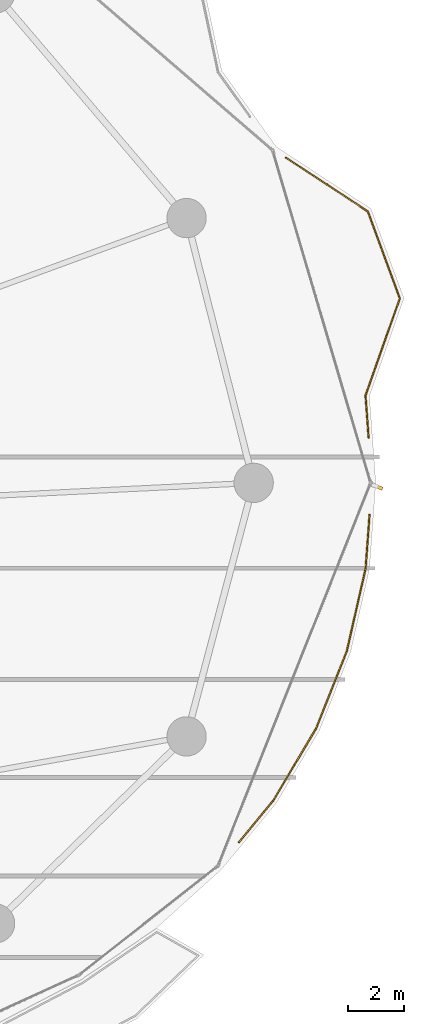
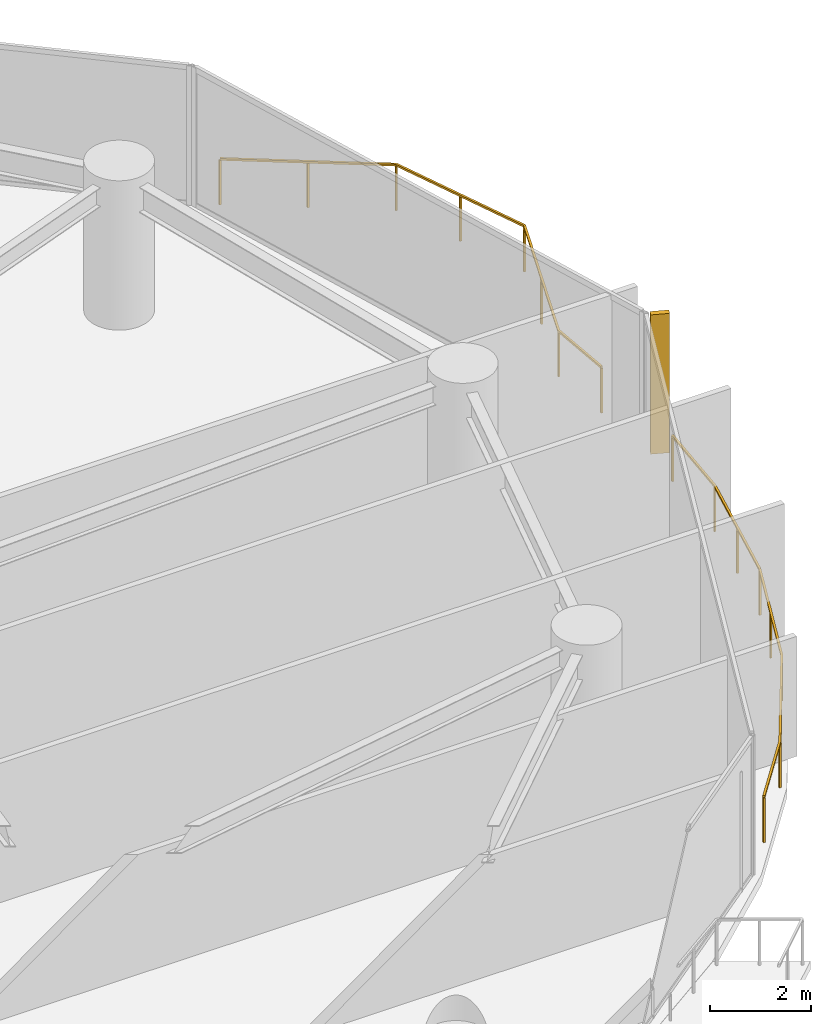
# One storey, part 33 of 33: 2 railings, 1 shading device.
"""IFC4 building model written with IfcOpenShell, lengths in metres."""

import ifcopenshell
import ifcopenshell.guid

model = None  # the IFC model being written
_history = None  # IfcOwnerHistory: only IFC2X3 demands one
_inside = {}  # id of a spatial element -> (the spatial element, [elements in it])
_under = {}  # id of a project, library or spatial element -> (it, [spatial elements below it])
_declared = {}  # id of a project -> (the project, [libraries it declares])
_typed = {}  # id of a type object -> (the type object, [elements of that type])
_made_of = {}  # id of a material, layer set ... -> (it, [elements and type objects made of it])


def new_model(schema):
    """Start an empty IFC model of exactly this schema.

    Asked for "IFC4X3", IfcOpenShell would pick the latest addendum, in which some entities
    have other attributes; the version numbers below select the first issue.
    IFC2X3 requires an IfcOwnerHistory on every rooted entity: one is made here for all.
    """
    global model, _history
    if schema == "IFC4X3":
        model = ifcopenshell.file(schema_version=(4, 3, 0, 0))
    else:
        model = ifcopenshell.file(schema=schema)
    _inside.clear()
    _under.clear()
    _declared.clear()
    _typed.clear()
    _made_of.clear()
    _history = None
    if model.schema == "IFC2X3":
        org = make("IfcOrganization", Name="unknown")
        user = make(
            "IfcPersonAndOrganization",
            ThePerson=make("IfcPerson", FamilyName="unknown"),
            TheOrganization=org,
        )
        app = make(
            "IfcApplication",
            ApplicationDeveloper=org,
            Version="unknown",
            ApplicationFullName="unknown",
            ApplicationIdentifier="unknown",
        )
        _history = make(
            "IfcOwnerHistory",
            OwningUser=user,
            OwningApplication=app,
            ChangeAction="ADDED",
            CreationDate=0,
        )
    return model


def make(cls, **values):
    """One entity of the class cls with the attributes given. An attribute that is None is left unset."""
    return model.create_entity(
        cls, **{name: value for name, value in values.items() if value is not None}
    )


def rooted(cls, **values):
    """An entity with a GlobalId (a new one), such as an element, a storey or a relation."""
    return make(cls, GlobalId=ifcopenshell.guid.new(), OwnerHistory=_history, **values)


def si_unit(unit_type, name, prefix=None):
    """IfcSIUnit, for example si_unit("LENGTHUNIT", "METRE", prefix="MILLI")."""
    return make("IfcSIUnit", UnitType=unit_type, Prefix=prefix, Name=name)


def assignment(units):
    """IfcUnitAssignment: the units of a project."""
    return None if units is None else make("IfcUnitAssignment", Units=units)


def point(xyz):
    """IfcCartesianPoint."""
    return None if xyz is None else make("IfcCartesianPoint", Coordinates=xyz)


def direction(xyz):
    """IfcDirection."""
    return None if xyz is None else make("IfcDirection", DirectionRatios=xyz)


def frame(location, z_axis=None, x_axis=None):
    """IfcAxis2Placement3D, a coordinate frame: its origin and axes. An axis left out is left unset."""
    return make(
        "IfcAxis2Placement3D",
        Location=point(location),
        Axis=direction(z_axis),
        RefDirection=direction(x_axis),
    )


def frame_2d(location, x_axis=None):
    """IfcAxis2Placement2D, a coordinate frame in the plane: its origin and x axis."""
    return make(
        "IfcAxis2Placement2D", Location=point(location), RefDirection=direction(x_axis)
    )


def origin():
    """The frame at (0, 0, 0) with its axes left unset."""
    return frame((0.0, 0.0, 0.0))


def origin_2d():
    """The frame at (0, 0) in the plane with its x axis left unset."""
    return frame_2d((0.0, 0.0))


def place(relative_to, where):
    """IfcLocalPlacement: puts the frame where relative to a parent placement (None: the world)."""
    return make(
        "IfcLocalPlacement", PlacementRelTo=relative_to, RelativePlacement=where
    )


def context(
    kind, dimensions, precision=None, world=None, true_north=None, identifier=None
):
    """IfcGeometricRepresentationContext, for example the 3D "Model" context."""
    return make(
        "IfcGeometricRepresentationContext",
        ContextIdentifier=identifier,
        ContextType=kind,
        CoordinateSpaceDimension=dimensions,
        Precision=precision,
        WorldCoordinateSystem=world,
        TrueNorth=true_north,
    )


def subcontext(parent, identifier, kind, view, scale=None):
    """IfcGeometricRepresentationSubContext, for example "Body" below "Model"."""
    return make(
        "IfcGeometricRepresentationSubContext",
        ContextIdentifier=identifier,
        ContextType=kind,
        ParentContext=parent,
        TargetScale=scale,
        TargetView=view,
    )


def project(units=None, contexts=None):
    """IfcProject with its units and contexts."""
    return rooted(
        "IfcProject",
        Name="project",
        RepresentationContexts=contexts,
        UnitsInContext=assignment(units),
    )


def spatial(cls, under=None, at=None, **own):
    """A site, building, storey or space (cls), placed at a placement, below another one or the project."""
    s = rooted(cls, ObjectPlacement=at, **own)
    if under is not None:
        _under.setdefault(under.id(), (under, []))[1].append(s)
    return s


def profile(cls, at=None, kind="AREA", **sizes):
    """A parametric profile (cls). Its sizes go by their IFC names, for example OverallWidth=200.0."""
    return make(cls, ProfileType=kind, Position=at, **sizes)


def rectangle(**sizes):
    """IfcRectangleProfileDef."""
    return profile("IfcRectangleProfileDef", **sizes)


def extrude(swept, where, along, depth):
    """IfcExtrudedAreaSolid: the profile swept, set in the frame where, extruded along a direction by depth."""
    return make(
        "IfcExtrudedAreaSolid",
        SweptArea=swept,
        Position=where,
        ExtrudedDirection=direction(along),
        Depth=depth,
    )


def shape(context_of_items, identifier, shape_type, items):
    """IfcShapeRepresentation: the items that make up one representation, for example the "Body"."""
    return make(
        "IfcShapeRepresentation",
        ContextOfItems=context_of_items,
        RepresentationIdentifier=identifier,
        RepresentationType=shape_type,
        Items=items,
    )


def material(Name=None, Category=None):
    """IfcMaterial."""
    return make("IfcMaterial", Name=Name, Category=Category)


def made_of(thing, what):
    """Note that an element or type object is made of a material, layer set ...; save() writes the relation."""
    if what is not None:
        _made_of.setdefault(what.id(), (what, []))[1].append(thing)
    return thing


def type_object(cls, material=None, **own):
    """A type object (cls), such as IfcWallType, which elements share."""
    return made_of(rooted(cls, **own), material)


def element(
    cls,
    number,
    at=None,
    inside=None,
    cuts=None,
    type_object=None,
    material=None,
    context=None,
    identifier="Body",
    shape_type=None,
    held_by="IfcProductDefinitionShape",
    body=None,
    shapes=None,
    **own,
):
    """One element of the class cls, such as IfcWall. Its Tag is "e" and its number.

    at: its placement. inside: the storey or other place that contains it. cuts: it is an
    opening in that element (IfcRelVoidsElement). A single representation is given by context,
    identifier, shape_type and body (its items); several are given by shapes. held_by: the class
    of the entity that holds the representations. save() writes the other relations.
    """
    e = rooted(cls, Tag="e%d" % number, ObjectPlacement=at, **own)
    if body is not None:
        shapes = [shape(context, identifier, shape_type, body)]
    if shapes is not None:
        e.Representation = make(held_by, Representations=shapes)
    if inside is not None:
        _inside.setdefault(inside.id(), (inside, []))[1].append(e)
    if cuts is not None:
        rooted(
            "IfcRelVoidsElement", RelatingBuildingElement=cuts, RelatedOpeningElement=e
        )
    if type_object is not None:
        _typed.setdefault(type_object.id(), (type_object, []))[1].append(e)
    return made_of(e, material)


def aggregate(whole, parts):
    """IfcRelAggregates: a whole, such as a stair, and the parts it consists of."""
    return rooted("IfcRelAggregates", RelatingObject=whole, RelatedObjects=parts)


def save(model, path):
    """Write the relations noted so far, then the file.

    IfcRelAggregates (storeys below a building ...), IfcRelContainedInSpatialStructure (elements
    in a storey), IfcRelDefinesByType, IfcRelAssociatesMaterial and IfcRelDeclares: one each for
    every whole, place, type object, material and project.
    """
    for whole, parts in _under.values():
        aggregate(whole, parts)
    for where, things in _inside.values():
        rooted(
            "IfcRelContainedInSpatialStructure",
            RelatedElements=things,
            RelatingStructure=where,
        )
    for kind, things in _typed.values():
        rooted("IfcRelDefinesByType", RelatedObjects=things, RelatingType=kind)
    for what, things in _made_of.values():
        rooted("IfcRelAssociatesMaterial", RelatedObjects=things, RelatingMaterial=what)
    for by, libraries in _declared.values():
        rooted("IfcRelDeclares", RelatingContext=by, RelatedDefinitions=libraries)
    model.write(path)


model = new_model("IFC4")

# Units and contexts
model_context = context("Model", 3, precision=1e-05, world=origin(), true_north=direction((0.0, 1.0)))
body_context = subcontext(model_context, "Body", "Model", "MODEL_VIEW")
ifc_project = project(units=[si_unit("LENGTHUNIT", "METRE"), si_unit("AREAUNIT", "SQUARE_METRE"), si_unit("VOLUMEUNIT", "CUBIC_METRE"), si_unit("PLANEANGLEUNIT", "RADIAN"), si_unit("MASSUNIT", "GRAM", prefix="KILO")], contexts=[model_context])

# Site, building, storey
site_placement = place(None, origin())
site = spatial("IfcSite", under=ifc_project, at=site_placement, CompositionType="ELEMENT")
building_placement = place(site_placement, origin())
building = spatial("IfcBuilding", under=site, at=building_placement, Name="Kazevale Care Tower and Concert Hall", CompositionType="ELEMENT")
storey_placement = place(building_placement, frame((0.0, 0.0, 31.199951171875)))
storey = spatial("IfcBuildingStorey", under=building, at=storey_placement, Name="L07", CompositionType="ELEMENT", Elevation=31.199951171875)

# Railings
ifc_material_1 = material(Name="Anodised Bronze Aluminium and Laminated Glass", Category="aluminium")
railing_type = type_object("IfcRailingType", Name="Balcony and Terrace Balustrade 1120", PredefinedType="BALUSTRADE", material=ifc_material_1)
railing_1_placement = place(storey_placement, frame((80.575927734375, 36.864990234375, 0.0)))
element("IfcRailing", 1, at=railing_1_placement, inside=storey, type_object=railing_type, Name="rail:L07:perim:10", PredefinedType="BALUSTRADE", context=body_context, shape_type="SweptSolid", body=[
    extrude(rectangle(XDim=0.048095703125, YDim=0.048095703125, at=origin_2d()), frame((0.0, 0.0, 1.09619140625), z_axis=(-0.072929321708, -0.99733711153, 0.0), x_axis=(0.99733711153, -0.072929321708, 0.0)), (0.0, 0.0, 1.0), 1.918212890625),
    extrude(rectangle(XDim=0.048095703125, YDim=0.048095703125, at=origin_2d()), frame((-0.139892578125, -1.9130859375, 1.09619140625), z_axis=(-0.22169815306, -0.975115341347, 0.0), x_axis=(0.975115341347, -0.22169815306, 0.0)), (0.0, 0.0, 1.0), 3.012939453125),
    extrude(rectangle(XDim=0.048095703125, YDim=0.048095703125, at=origin_2d()), frame((-0.807861328125, -4.85107421875, 1.09619140625), z_axis=(-0.369500413357, -0.92923056586, 0.0), x_axis=(0.92923056586, -0.369500413357, 0.0)), (0.0, 0.0, 1.0), 2.985107421875),
    extrude(rectangle(XDim=0.048095703125, YDim=0.048095703125, at=origin_2d()), frame((-1.910888671875, -7.625, 1.09619140625), z_axis=(-0.510655847211, -0.859785209055, 0.0), x_axis=(0.859785209055, -0.510655847211, 0.0)), (0.0, 0.0, 1.0), 2.986572265625),
    extrude(rectangle(XDim=0.048095703125, YDim=0.048095703125, at=origin_2d()), frame((-3.43603515625, -10.19287109375, 1.09619140625), z_axis=(-0.636478085384, -0.771294785945, 0.0), x_axis=(0.771294785945, -0.636478085384, 0.0)), (0.0, 0.0, 1.0), 1.90869140625),
    extrude(rectangle(XDim=0.0419921875, YDim=0.0419921875, at=origin_2d()), origin(), (0.0, 0.0, 1.0), 1.072021484375),
    extrude(rectangle(XDim=0.0419921875, YDim=0.0419921875, at=origin_2d()), frame((-0.139892578125, -1.9130859375, 0.0)), (0.0, 0.0, 1.0), 1.072021484375),
    extrude(rectangle(XDim=0.0419921875, YDim=0.0419921875, at=origin_2d()), frame((-0.473876953125, -3.382080078125, 0.0)), (0.0, 0.0, 1.0), 1.072021484375),
    extrude(rectangle(XDim=0.0419921875, YDim=0.0419921875, at=origin_2d()), frame((-0.807861328125, -4.85107421875, 0.0)), (0.0, 0.0, 1.0), 1.072021484375),
    extrude(rectangle(XDim=0.0419921875, YDim=0.0419921875, at=origin_2d()), frame((-1.359375, -6.238037109375, 0.0)), (0.0, 0.0, 1.0), 1.072021484375),
    extrude(rectangle(XDim=0.0419921875, YDim=0.0419921875, at=origin_2d()), frame((-1.910888671875, -7.625, 0.0)), (0.0, 0.0, 1.0), 1.072021484375),
    extrude(rectangle(XDim=0.0419921875, YDim=0.0419921875, at=origin_2d()), frame((-2.67333984375, -8.908935546875, 0.0)), (0.0, 0.0, 1.0), 1.072021484375),
    extrude(rectangle(XDim=0.0419921875, YDim=0.0419921875, at=origin_2d()), frame((-3.43603515625, -10.19287109375, 0.0)), (0.0, 0.0, 1.0), 1.072021484375),
    extrude(rectangle(XDim=0.0419921875, YDim=0.0419921875, at=origin_2d()), frame((-4.65087890625, -11.6650390625, 0.0)), (0.0, 0.0, 1.0), 1.072021484375),
])
railing_2_placement = place(storey_placement, frame((77.60205078125, 49.580078125, 0.0)))
element("IfcRailing", 2, at=railing_2_placement, inside=storey, type_object=railing_type, Name="rail:L07:perim:11", PredefinedType="BALUSTRADE", context=body_context, shape_type="SweptSolid", body=[
    extrude(rectangle(XDim=0.048095703125, YDim=0.048095703125, at=origin_2d()), frame((0.0, 0.0, 1.09619140625), z_axis=(0.836080040141, -0.548607479422, 0.0), x_axis=(0.548607479422, 0.836080040141, 0.0)), (0.0, 0.0, 1.0), 3.4853515625),
    extrude(rectangle(XDim=0.048095703125, YDim=0.048095703125, at=origin_2d()), frame((2.9140625, -1.912109375, 1.09619140625), z_axis=(0.34544454401, -0.938439165324, 0.0), x_axis=(0.938439165324, 0.34544454401, 0.0)), (0.0, 0.0, 1.0), 3.296875),
    extrude(rectangle(XDim=0.048095703125, YDim=0.048095703125, at=origin_2d()), frame((4.052978515625, -5.006103515625, 1.09619140625), z_axis=(-0.332566381025, -0.94307984933, 0.0), x_axis=(0.94307984933, -0.332566381025, 0.0)), (0.0, 0.0, 1.0), 3.67431640625),
    extrude(rectangle(XDim=0.048095703125, YDim=0.048095703125, at=origin_2d()), frame((2.8310546875, -8.47119140625, 1.09619140625), z_axis=(0.072904890187, -0.997338897761, 0.0), x_axis=(0.997338897761, 0.072904890187, 0.0)), (0.0, 0.0, 1.0), 1.5068359375),
    extrude(rectangle(XDim=0.0419921875, YDim=0.0419921875, at=origin_2d()), origin(), (0.0, 0.0, 1.0), 1.072021484375),
    extrude(rectangle(XDim=0.0419921875, YDim=0.0419921875, at=origin_2d()), frame((1.45703125, -0.9560546875, 0.0)), (0.0, 0.0, 1.0), 1.072021484375),
    extrude(rectangle(XDim=0.0419921875, YDim=0.0419921875, at=origin_2d()), frame((2.9140625, -1.912109375, 0.0)), (0.0, 0.0, 1.0), 1.072021484375),
    extrude(rectangle(XDim=0.0419921875, YDim=0.0419921875, at=origin_2d()), frame((3.4833984375, -3.458984375, 0.0)), (0.0, 0.0, 1.0), 1.072021484375),
    extrude(rectangle(XDim=0.0419921875, YDim=0.0419921875, at=origin_2d()), frame((4.052978515625, -5.006103515625, 0.0)), (0.0, 0.0, 1.0), 1.072021484375),
    extrude(rectangle(XDim=0.0419921875, YDim=0.0419921875, at=origin_2d()), frame((3.44189453125, -6.73876953125, 0.0)), (0.0, 0.0, 1.0), 1.072021484375),
    extrude(rectangle(XDim=0.0419921875, YDim=0.0419921875, at=origin_2d()), frame((2.8310546875, -8.47119140625, 0.0)), (0.0, 0.0, 1.0), 1.072021484375),
    extrude(rectangle(XDim=0.0419921875, YDim=0.0419921875, at=origin_2d()), frame((2.94091796875, -9.97412109375, 0.0)), (0.0, 0.0, 1.0), 1.072021484375),
])

# Shading device
ifc_material_2 = material(Name="Honed Ochre Limestone", Category="masonry")
shading_device_type = type_object("IfcShadingDeviceType", Name="Vertical Honed Limestone Fin FIN-01", PredefinedType="USERDEFINED", material=ifc_material_2)
shading_device_placement = place(storey_placement, frame((80.861572265625, 37.860595703125, 0.0), z_axis=(0.0, 0.0, 1.0), x_axis=(0.928874213199, -0.370395324019, 0.0)))
element("IfcShadingDevice", 3, at=shading_device_placement, inside=storey, type_object=shading_device_type, Name="cw:L07:f01:fin", ObjectType="FIN", PredefinedType="USERDEFINED", context=body_context, shape_type="SweptSolid", body=[
    extrude(rectangle(XDim=0.3798828125, YDim=0.1201171875, at=origin_2d()), origin(), (0.0, 0.0, 1.0), 3.360107421875),
])

save(model, "model.ifc")
